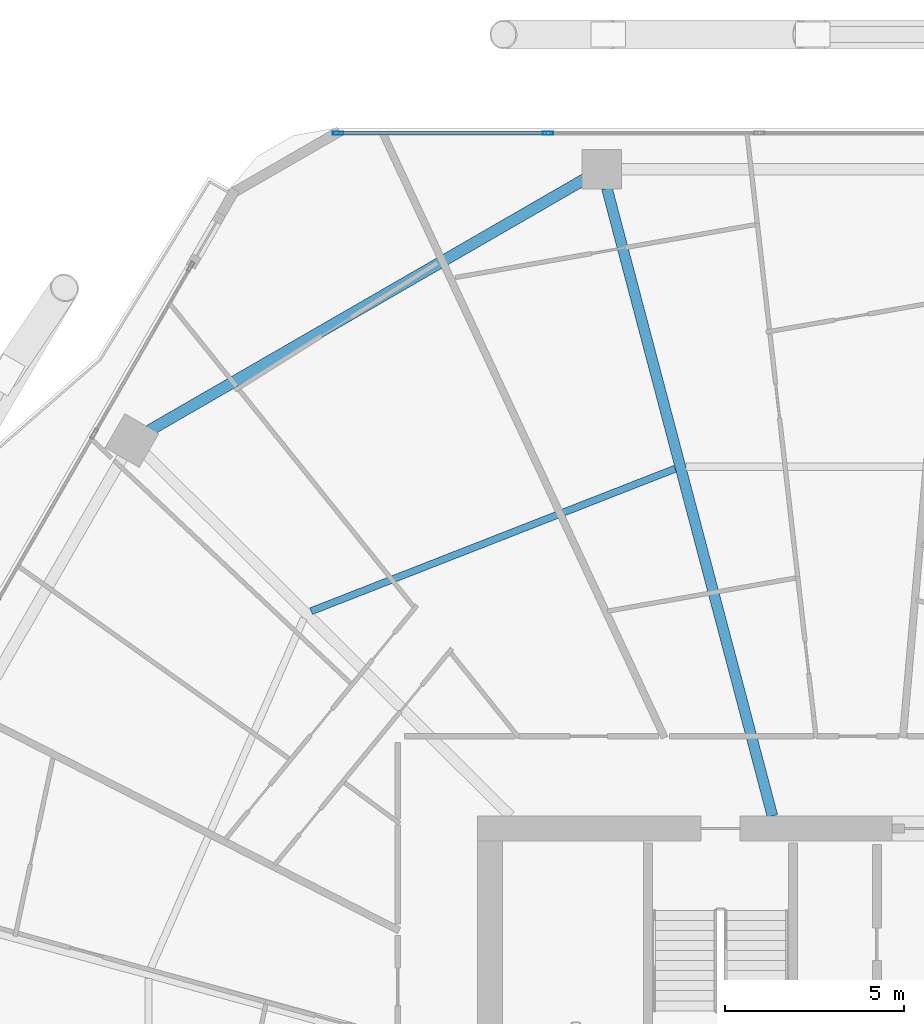
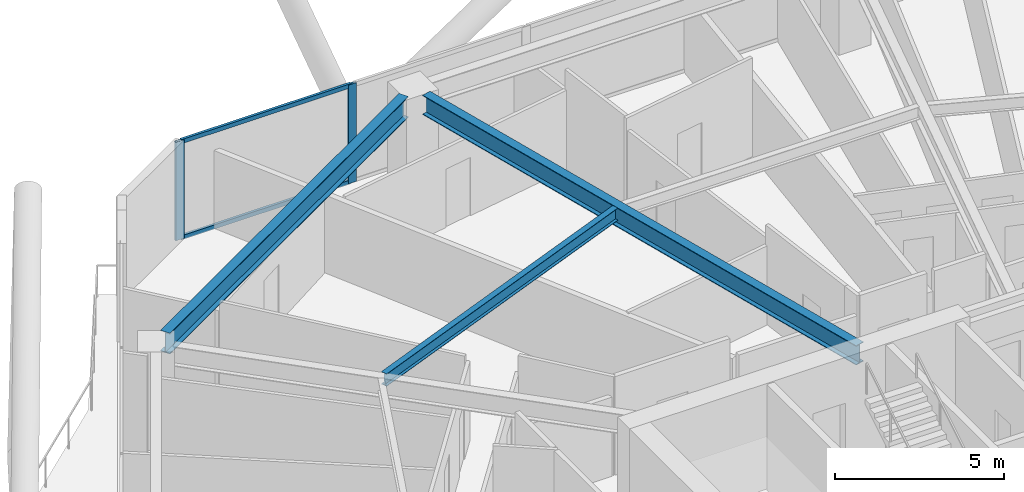
# One storey, part 17 of 34: 4 members, 3 beams, 1 element without a shape of its own.
"""IFC4 building model written with IfcOpenShell, lengths in metres."""

from ifc_helpers import new_model, si_unit, direction, frame, origin, origin_2d, place, context, subcontext, project, spatial, hollow_rectangle, i_section, extrude, material, material_profile, profile_set, type_object, element, aggregate, save


model = new_model("IFC4")

# Units and contexts
model_context = context("Model", 3, precision=1e-05, world=origin(), true_north=direction((0.0, 1.0)))
body_context = subcontext(model_context, "Body", "Model", "MODEL_VIEW")
ifc_project = project(units=[si_unit("LENGTHUNIT", "METRE"), si_unit("AREAUNIT", "SQUARE_METRE"), si_unit("VOLUMEUNIT", "CUBIC_METRE"), si_unit("PLANEANGLEUNIT", "RADIAN"), si_unit("MASSUNIT", "GRAM", prefix="KILO")], contexts=[model_context])

# Site, building, storey
site_placement = place(None, origin())
site = spatial("IfcSite", under=ifc_project, at=site_placement, CompositionType="ELEMENT")
building_placement = place(site_placement, origin())
building = spatial("IfcBuilding", under=site, at=building_placement, Name="Zuhravey Tower", CompositionType="ELEMENT")
storey_placement = place(building_placement, frame((0.0, 0.0, 130.39990234375)))
storey = spatial("IfcBuildingStorey", under=building, at=storey_placement, Name="L32", CompositionType="ELEMENT", Elevation=130.39990234375)

# Curtain wall, members
ifc_material_1 = material(Name="Thermally broken anodised aluminium", Category="aluminium")
curtain_wall_type = type_object("IfcCurtainWallType", Name="Zone 1-2 Residential Curtain Wall CW3", PredefinedType="NOTDEFINED", material=ifc_material_1)
curtain_wall_placement = place(storey_placement, origin())
curtain_wall = element("IfcCurtainWall", 1, at=curtain_wall_placement, inside=storey, type_object=curtain_wall_type, Name="L32 CW3 CW-L32-F2-1", PredefinedType="NOTDEFINED")
ifc_material_2 = material(Name="Anodised aluminium", Category="aluminium")
ifc_material_profile_1 = material_profile(ifc_material_2, hollow_rectangle(XDim=0.090087890625, YDim=0.284912109375, WallThickness=0.0048828125, at=origin_2d()), Name="ALU-RHS-90x285x5")
ifc_profile_set_1 = profile_set([ifc_material_profile_1], Name="Anodised aluminium")
member_type_1 = type_object("IfcMemberType", Name="Curtain-Wall Mullion 90x180", PredefinedType="MULLION", material=ifc_profile_set_1)
member_1_placement = place(storey_placement, frame((21.24560546875, 60.95849609375, 0.0), z_axis=(0.0, 0.0, 1.0), x_axis=(0.0, 1.0, 0.0)))
member_1 = element("IfcMember", 2, at=member_1_placement, type_object=member_type_1, Name="CW3 mullion 1", PredefinedType="MULLION", context=body_context, shape_type="SweptSolid", body=[
    extrude(hollow_rectangle(XDim=0.090087890625, YDim=0.284912109375, WallThickness=0.0048828125, at=origin_2d()), origin(), (0.0, 0.0, 1.0), 3.550048828125),
])
member_2_placement = place(storey_placement, frame((27.120361328125, 60.95849609375, 0.0), z_axis=(0.0, 0.0, 1.0), x_axis=(0.0, 1.0, 0.0)))
member_2 = element("IfcMember", 3, at=member_2_placement, type_object=member_type_1, Name="CW3 mullion 2", PredefinedType="MULLION", context=body_context, shape_type="SweptSolid", body=[
    extrude(hollow_rectangle(XDim=0.090087890625, YDim=0.284912109375, WallThickness=0.0048828125, at=origin_2d()), origin(), (0.0, 0.0, 1.0), 3.550048828125),
])
ifc_material_profile_2 = material_profile(ifc_material_2, hollow_rectangle(XDim=0.090087890625, YDim=0.14990234375, WallThickness=0.0048828125, at=origin_2d()), Name="ALU-RHS-90x150x5")
ifc_profile_set_2 = profile_set([ifc_material_profile_2], Name="Anodised aluminium")
member_type_2 = type_object("IfcMemberType", Name="Curtain-Wall Transom 90x150", PredefinedType="USERDEFINED", material=ifc_profile_set_2)
member_3_placement = place(storey_placement, frame((21.29052734375, 60.95849609375, 0.045166015625), z_axis=(1.0, 0.0, 0.0), x_axis=(0.0, 1.0, 0.0)))
member_3 = element("IfcMember", 4, at=member_3_placement, type_object=member_type_2, Name="CW3 transom 1.1", ObjectType="TRANSOM", PredefinedType="USERDEFINED", context=body_context, shape_type="SweptSolid", body=[
    extrude(hollow_rectangle(XDim=0.090087890625, YDim=0.14990234375, WallThickness=0.0048828125, at=origin_2d()), origin(), (0.0, 0.0, 1.0), 5.78466796875),
])
member_4_placement = place(storey_placement, frame((21.29052734375, 60.95849609375, 3.505126953125), z_axis=(1.0, 0.0, 0.0), x_axis=(0.0, 1.0, 0.0)))
member_4 = element("IfcMember", 5, at=member_4_placement, type_object=member_type_2, Name="CW3 transom 1.2", ObjectType="TRANSOM", PredefinedType="USERDEFINED", context=body_context, shape_type="SweptSolid", body=[
    extrude(hollow_rectangle(XDim=0.090087890625, YDim=0.14990234375, WallThickness=0.0048828125, at=origin_2d()), origin(), (0.0, 0.0, 1.0), 5.78466796875),
])
aggregate(curtain_wall, [member_1, member_2, member_3, member_4])

# Beams
ifc_material_3 = material(Name="Steel SM355", Category="steel")
ifc_material_profile_3 = material_profile(ifc_material_3, i_section(OverallWidth=0.320068359375, OverallDepth=0.75, WebThickness=0.013916015625, FlangeThickness=0.02490234375, at=origin_2d()), Name="H-750x320x14x25")
ifc_profile_set_3 = profile_set([ifc_material_profile_3], Name="Steel SM355")
beam_type_1 = type_object("IfcBeamType", Name="Perimeter Ring Beam H750x320", PredefinedType="BEAM", material=ifc_profile_set_3)
beam_1_placement = place(storey_placement, frame((28.151123046875, 59.672119140625, 3.175048828125), z_axis=(-0.866017786538, -0.500013193225, 0.0), x_axis=(0.500013193225, -0.866017786538, 0.0)))
element("IfcBeam", 6, at=beam_1_placement, inside=storey, type_object=beam_type_1, Name="L32 PB1 BM-L32-PB-04", PredefinedType="BEAM", context=body_context, shape_type="SweptSolid", body=[
    extrude(i_section(OverallWidth=0.320068359375, OverallDepth=0.75, WebThickness=0.013916015625, FlangeThickness=0.02490234375, at=origin_2d()), origin(), (0.0, 0.0, 1.0), 14.0771484375),
])
ifc_material_profile_4 = material_profile(ifc_material_3, i_section(OverallWidth=0.300048828125, OverallDepth=0.699951171875, WebThickness=0.012939453125, FlangeThickness=0.02392578125, at=origin_2d()), Name="H-700x300x13x24")
ifc_profile_set_4 = profile_set([ifc_material_profile_4], Name="Steel SM355")
beam_type_2 = type_object("IfcBeamType", Name="Radial Primary Girder H700x300", PredefinedType="BEAM", material=ifc_profile_set_4)
beam_2_placement = place(storey_placement, frame((33.40185546875, 41.85302734375, 3.2001953125), z_axis=(-0.25498755891, 0.966944333869, 0.0), x_axis=(-0.966944333869, -0.25498755891, 0.0)))
element("IfcBeam", 7, at=beam_2_placement, inside=storey, type_object=beam_type_2, Name="L32 RG1 BM-L32-RAD-04", PredefinedType="BEAM", context=body_context, shape_type="SweptSolid", body=[
    extrude(i_section(OverallWidth=0.300048828125, OverallDepth=0.699951171875, WebThickness=0.012939453125, FlangeThickness=0.02392578125, at=origin_2d()), origin(), (0.0, 0.0, 1.0), 18.1611328125),
])
ifc_material_profile_5 = material_profile(ifc_material_3, i_section(OverallWidth=0.199951171875, OverallDepth=0.449951171875, WebThickness=0.009033203125, FlangeThickness=0.013916015625, at=origin_2d()), Name="H-450x200x9x14")
ifc_profile_set_5 = profile_set([ifc_material_profile_5], Name="Steel SM355")
beam_type_3 = type_object("IfcBeamType", Name="Secondary Floor Joist H450x200", PredefinedType="JOIST", material=ifc_profile_set_5)
beam_3_placement = place(storey_placement, frame((30.681640625, 51.568359375, 3.3251953125), z_axis=(-0.931216764731, -0.364465824302, 0.0), x_axis=(0.364465824302, -0.931216764731, 0.0)))
element("IfcBeam", 8, at=beam_3_placement, inside=storey, type_object=beam_type_3, Name="L32 SJ1 BM-L32-SJ-04-1", PredefinedType="JOIST", context=body_context, shape_type="SweptSolid", body=[
    extrude(i_section(OverallWidth=0.199951171875, OverallDepth=0.449951171875, WebThickness=0.009033203125, FlangeThickness=0.013916015625, at=origin_2d()), origin(), (0.0, 0.0, 1.0), 10.939453125),
])

save(model, "model.ifc")
